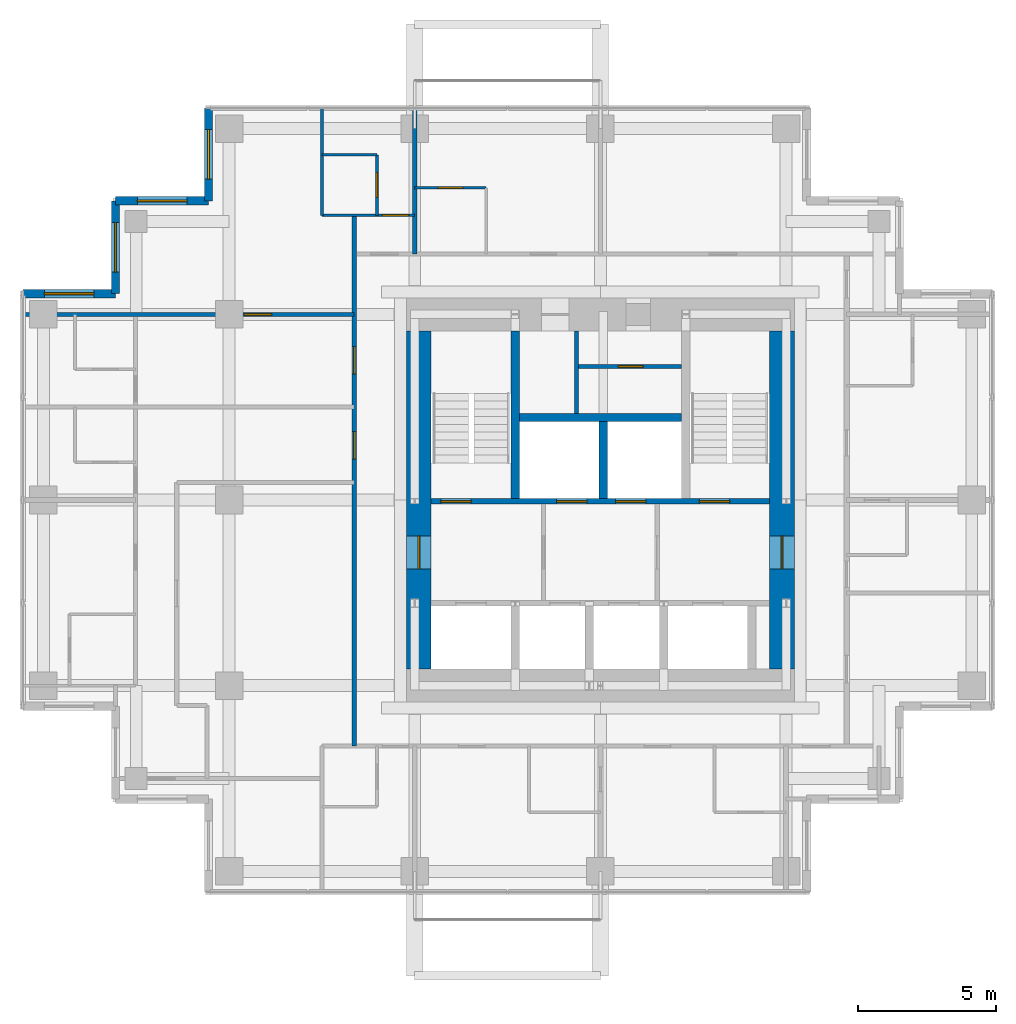
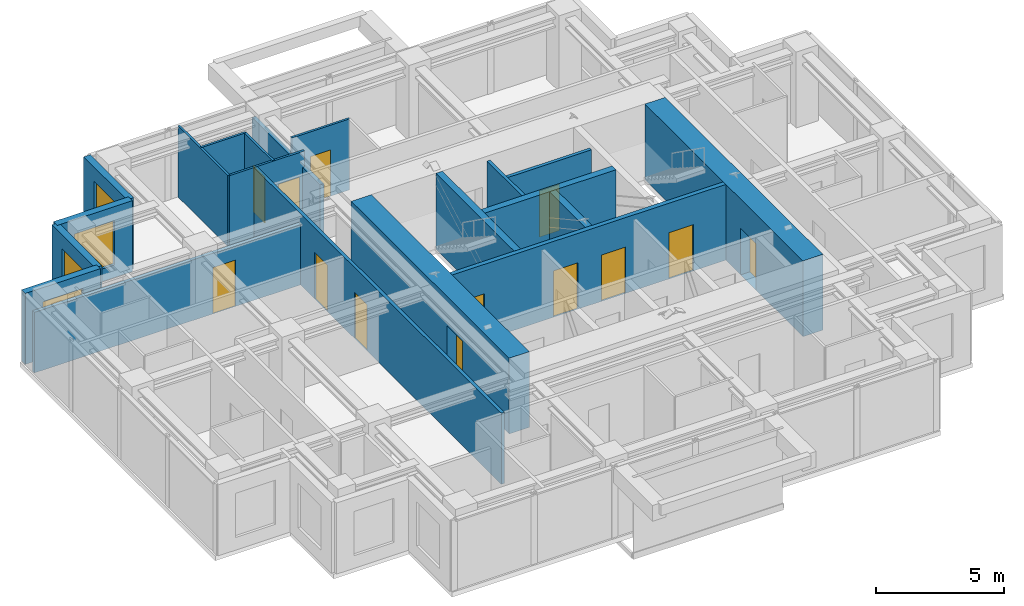
# One storey, part 5 of 8: 20 walls, 13 doors, 4 windows, 17 openings.
"""IFC4 building model written with IfcOpenShell, lengths in metres."""

from ifc_helpers import new_model, si_unit, direction, frame, frame_2d, origin, place, context, subcontext, project, spatial, rectangle, extrude, material, layer, layer_set, type_object, element, fill, save


model = new_model("IFC4")

# Units and contexts
model_context = context("Model", 3, precision=1e-05, world=origin(), true_north=direction((0.0, 1.0)))
body_context = subcontext(model_context, "Body", "Model", "MODEL_VIEW")
ifc_project = project(units=[si_unit("LENGTHUNIT", "METRE"), si_unit("AREAUNIT", "SQUARE_METRE"), si_unit("VOLUMEUNIT", "CUBIC_METRE"), si_unit("PLANEANGLEUNIT", "RADIAN"), si_unit("MASSUNIT", "GRAM", prefix="KILO")], contexts=[model_context])

# Site, building, storey
site_placement = place(None, origin())
site = spatial("IfcSite", under=ifc_project, at=site_placement, CompositionType="ELEMENT")
building_placement = place(site_placement, origin())
building = spatial("IfcBuilding", under=site, at=building_placement, Name="Nyansa Garden Tower", CompositionType="ELEMENT")
storey_placement = place(building_placement, frame((0.0, 0.0, 229.5)))
storey = spatial("IfcBuildingStorey", under=building, at=storey_placement, Name="L62", CompositionType="ELEMENT", Elevation=229.5)

# Wall
ifc_material_1 = material(Name="Dense blockwork, plastered both sides, 55 dB", Category="masonry")
ifc_layer_1 = layer(ifc_material_1, 0.175048828125)
ifc_layer_set_1 = layer_set([ifc_layer_1], Name="Acoustic party wall PW175")
wall_type_1 = type_object("IfcWallType", Name="Acoustic party wall PW175", PredefinedType="PARTITIONING", material=ifc_layer_set_1)
wall_1_placement = place(storey_placement, frame((13.5, 29.199951171875, 0.0), z_axis=(0.0, 0.0, 1.0), x_axis=(0.0, 1.0, 0.0)))
element("IfcWall", 1, at=wall_1_placement, inside=storey, type_object=wall_type_1, Name="Party wall", PredefinedType="PARTITIONING", context=body_context, shape_type="SweptSolid", body=[
    extrude(rectangle(XDim=5.283935546875, YDim=0.175048828125, at=frame_2d((2.64208984375, 0.0))), origin(), (0.0, 0.0, 1.0), 2.610107421875),
])

# Wall, openings, doors
ifc_material_2 = material(Name="Concrete C70/85", Category="concrete")
ifc_layer_2 = layer(ifc_material_2, 0.199951171875)
ifc_layer_set_2 = layer_set([ifc_layer_2], Name="Core inner wall CI200")
wall_type_2 = type_object("IfcWallType", Name="Core inner wall CI200", PredefinedType="SHEAR", material=ifc_layer_set_2)
wall_2_placement = place(storey_placement, frame((14.10009765625, 20.199951171875, 0.0), z_axis=(0.0, 0.0, 1.0), x_axis=(1.0, 0.0, 0.0)))
wall_2 = element("IfcWall", 2, at=wall_2_placement, inside=storey, type_object=wall_type_2, Name="Core inner wall L62", PredefinedType="SHEAR", context=body_context, shape_type="SweptSolid", body=[
    extrude(rectangle(XDim=12.2998046875, YDim=0.199951171875, at=frame_2d((6.14990234375, 0.0))), origin(), (0.0, 0.0, 1.0), 3.60009765625),
])
opening_1_placement = place(wall_2_placement, frame((4.56005859375, 0.0, 0.0)))
opening_1 = element("IfcOpeningElement", 3, at=opening_1_placement, cuts=wall_2, Name="Opening LD-B", PredefinedType="OPENING", context=body_context, shape_type="SweptSolid", body=[
    extrude(rectangle(XDim=1.10009765625, YDim=2.199951171875, at=frame_2d((0.550048828125, 1.10009765625))), frame((0.0, 0.10986328125, 0.0), z_axis=(0.0, -1.0, 0.0), x_axis=(1.0, 0.0, 0.0)), (0.0, 0.0, 1.0), 0.219970703125),
])
opening_2_placement = place(wall_2_placement, frame((6.699951171875, 0.0, 0.0)))
opening_2 = element("IfcOpeningElement", 4, at=opening_2_placement, cuts=wall_2, Name="Opening LD-B", PredefinedType="OPENING", context=body_context, shape_type="SweptSolid", body=[
    extrude(rectangle(XDim=1.10009765625, YDim=2.199951171875, at=frame_2d((0.550048828125, 1.10009765625))), frame((0.0, 0.10986328125, 0.0), z_axis=(0.0, -1.0, 0.0), x_axis=(1.0, 0.0, 0.0)), (0.0, 0.0, 1.0), 0.219970703125),
])
opening_3_placement = place(wall_2_placement, frame((0.35009765625, 0.0, 0.0)))
opening_3 = element("IfcOpeningElement", 5, at=opening_3_placement, cuts=wall_2, Name="Opening D05", PredefinedType="OPENING", context=body_context, shape_type="SweptSolid", body=[
    extrude(rectangle(XDim=1.10009765625, YDim=2.199951171875, at=frame_2d((0.550048828125, 1.10009765625))), frame((0.0, 0.10986328125, 0.0), z_axis=(0.0, -1.0, 0.0), x_axis=(1.0, 0.0, 0.0)), (0.0, 0.0, 1.0), 0.219970703125),
])
opening_4_placement = place(wall_2_placement, frame((9.75, 0.0, 0.0)))
opening_4 = element("IfcOpeningElement", 6, at=opening_4_placement, cuts=wall_2, Name="Opening D05", PredefinedType="OPENING", context=body_context, shape_type="SweptSolid", body=[
    extrude(rectangle(XDim=1.10009765625, YDim=2.199951171875, at=frame_2d((0.550048828125, 1.10009765625))), frame((0.0, 0.10986328125, 0.0), z_axis=(0.0, -1.0, 0.0), x_axis=(1.0, 0.0, 0.0)), (0.0, 0.0, 1.0), 0.219970703125),
])
ifc_material_3 = material(Name="Stainless steel centre-opening landing door of the high-rise lift, E 120", Category="steel")
door_type_1 = type_object("IfcDoorType", Name="Lift landing door LD-B 1100x2200", OperationType="DOUBLE_DOOR_SLIDING", PredefinedType="DOOR", material=ifc_material_3)
door_1_placement = place(opening_1_placement, origin())
door_1 = element("IfcDoor", 7, at=door_1_placement, inside=storey, type_object=door_type_1, Name="Landing door B3", OperationType="DOUBLE_DOOR_SLIDING", OverallHeight=2.199951171875, OverallWidth=1.10009765625, PredefinedType="DOOR", context=body_context, shape_type="SweptSolid", body=[
    extrude(rectangle(XDim=1.10009765625, YDim=2.199951171875, at=frame_2d((0.550048828125, 1.10009765625))), frame((0.0, 0.02490234375, 0.0), z_axis=(0.0, -1.0, 0.0), x_axis=(1.0, 0.0, 0.0)), (0.0, 0.0, 1.0), 0.050048828125),
])
fill(opening_1, door_1)
door_2_placement = place(opening_2_placement, origin())
door_2 = element("IfcDoor", 8, at=door_2_placement, inside=storey, type_object=door_type_1, Name="Landing door B4", OperationType="DOUBLE_DOOR_SLIDING", OverallHeight=2.199951171875, OverallWidth=1.10009765625, PredefinedType="DOOR", context=body_context, shape_type="SweptSolid", body=[
    extrude(rectangle(XDim=1.10009765625, YDim=2.199951171875, at=frame_2d((0.550048828125, 1.10009765625))), frame((0.0, 0.02490234375, 0.0), z_axis=(0.0, -1.0, 0.0), x_axis=(1.0, 0.0, 0.0)), (0.0, 0.0, 1.0), 0.050048828125),
])
fill(opening_2, door_2)
ifc_material_4 = material(Name="Steel door, 120 minute fire resisting", Category="steel")
door_type_2 = type_object("IfcDoorType", Name="Stair door D05 1100x2200", OperationType="SINGLE_SWING_LEFT", PredefinedType="DOOR", material=ifc_material_4)
door_3_placement = place(opening_3_placement, origin())
door_3 = element("IfcDoor", 9, at=door_3_placement, inside=storey, type_object=door_type_2, Name="Stair S1 door", OperationType="SINGLE_SWING_LEFT", OverallHeight=2.199951171875, OverallWidth=1.10009765625, PredefinedType="DOOR", context=body_context, shape_type="SweptSolid", body=[
    extrude(rectangle(XDim=1.10009765625, YDim=2.199951171875, at=frame_2d((0.550048828125, 1.10009765625))), frame((0.0, 0.02490234375, 0.0), z_axis=(0.0, -1.0, 0.0), x_axis=(1.0, 0.0, 0.0)), (0.0, 0.0, 1.0), 0.050048828125),
])
fill(opening_3, door_3)
door_4_placement = place(opening_4_placement, origin())
door_4 = element("IfcDoor", 10, at=door_4_placement, inside=storey, type_object=door_type_2, Name="Stair S2 door", OperationType="SINGLE_SWING_LEFT", OverallHeight=2.199951171875, OverallWidth=1.10009765625, PredefinedType="DOOR", context=body_context, shape_type="SweptSolid", body=[
    extrude(rectangle(XDim=1.10009765625, YDim=2.199951171875, at=frame_2d((0.550048828125, 1.10009765625))), frame((0.0, 0.02490234375, 0.0), z_axis=(0.0, -1.0, 0.0), x_axis=(1.0, 0.0, 0.0)), (0.0, 0.0, 1.0), 0.050048828125),
])
fill(opening_4, door_4)

# Walls
ifc_material_5 = material(Name="Concrete C70/85", Category="concrete")
ifc_layer_3 = layer(ifc_material_5, 0.300048828125)
ifc_layer_set_3 = layer_set([ifc_layer_3], Name="Core inner wall CI300")
wall_type_3 = type_object("IfcWallType", Name="Core inner wall CI300", PredefinedType="SHEAR", material=ifc_layer_set_3)
wall_3_placement = place(storey_placement, frame((17.14990234375, 20.300048828125, 0.0), z_axis=(0.0, 0.0, 1.0), x_axis=(0.0, 1.0, 0.0)))
element("IfcWall", 11, at=wall_3_placement, inside=storey, type_object=wall_type_3, Name="Core inner wall L62", PredefinedType="SHEAR", context=body_context, shape_type="SweptSolid", body=[
    extrude(rectangle(XDim=6.099853515625, YDim=0.300048828125, at=frame_2d((3.0498046875, 0.0))), origin(), (0.0, 0.0, 1.0), 3.60009765625),
])
wall_4_placement = place(storey_placement, frame((20.35009765625, 20.300048828125, 0.0), z_axis=(0.0, 0.0, 1.0), x_axis=(0.0, 1.0, 0.0)))
element("IfcWall", 12, at=wall_4_placement, inside=storey, type_object=wall_type_3, Name="Core inner wall L62", PredefinedType="SHEAR", context=body_context, shape_type="SweptSolid", body=[
    extrude(rectangle(XDim=2.800048828125, YDim=0.300048828125, at=frame_2d((1.39990234375, 0.0))), origin(), (0.0, 0.0, 1.0), 3.60009765625),
])
wall_5_placement = place(storey_placement, frame((17.300048828125, 23.25, 0.0), z_axis=(0.0, 0.0, 1.0), x_axis=(1.0, 0.0, 0.0)))
element("IfcWall", 13, at=wall_5_placement, inside=storey, type_object=wall_type_3, Name="Core inner wall L62", PredefinedType="SHEAR", context=body_context, shape_type="SweptSolid", body=[
    extrude(rectangle(XDim=5.89990234375, YDim=0.300048828125, at=frame_2d((2.949951171875, 0.0))), origin(), (0.0, 0.0, 1.0), 3.60009765625),
])

# Wall, opening, door
ifc_material_6 = material(Name="Concrete C80/95", Category="concrete")
ifc_layer_4 = layer(ifc_material_6, 0.89990234375)
ifc_layer_set_4 = layer_set([ifc_layer_4], Name="Core wall CW900")
wall_type_4 = type_object("IfcWallType", Name="Core wall CW900", PredefinedType="SHEAR", material=ifc_layer_set_4)
wall_6_placement = place(storey_placement, frame((26.85009765625, 14.10009765625, 0.0), z_axis=(0.0, 0.0, 1.0), x_axis=(0.0, 1.0, 0.0)))
wall_6 = element("IfcWall", 14, at=wall_6_placement, inside=storey, type_object=wall_type_4, Name="Core wall E L62", PredefinedType="SHEAR", context=body_context, shape_type="SweptSolid", body=[
    extrude(rectangle(XDim=12.2998046875, YDim=0.89990234375, at=frame_2d((6.14990234375, 0.0))), origin(), (0.0, 0.0, 1.0), 3.60009765625),
])
opening_5_placement = place(wall_6_placement, frame((3.64990234375, 0.0, 0.0)))
opening_5 = element("IfcOpeningElement", 15, at=opening_5_placement, cuts=wall_6, Name="Opening D06", PredefinedType="OPENING", context=body_context, shape_type="SweptSolid", body=[
    extrude(rectangle(XDim=1.199951171875, YDim=2.199951171875, at=frame_2d((0.60009765625, 1.10009765625))), frame((0.0, 0.4599609375, 0.0), z_axis=(0.0, -1.0, 0.0), x_axis=(1.0, 0.0, 0.0)), (0.0, 0.0, 1.0), 0.919921875),
])
ifc_material_7 = material(Name="Steel door, 120 minute fire resisting", Category="steel")
door_type_3 = type_object("IfcDoorType", Name="Lobby door D06 1200x2200", OperationType="DOUBLE_DOOR_SINGLE_SWING", PredefinedType="DOOR", material=ifc_material_7)
door_5_placement = place(opening_5_placement, origin())
door_5 = element("IfcDoor", 16, at=door_5_placement, inside=storey, type_object=door_type_3, Name="Lift lobby door east", OperationType="DOUBLE_DOOR_SINGLE_SWING", OverallHeight=2.199951171875, OverallWidth=1.199951171875, PredefinedType="DOOR", context=body_context, shape_type="SweptSolid", body=[
    extrude(rectangle(XDim=1.199951171875, YDim=2.199951171875, at=frame_2d((0.60009765625, 1.10009765625))), frame((0.0, 0.02490234375, 0.0), z_axis=(0.0, -1.0, 0.0), x_axis=(1.0, 0.0, 0.0)), (0.0, 0.0, 1.0), 0.050048828125),
])
fill(opening_5, door_5)

wall_7_placement = place(storey_placement, frame((13.64990234375, 26.39990234375, 0.0), z_axis=(0.0, 0.0, 1.0), x_axis=(0.0, -1.0, 0.0)))
wall_7 = element("IfcWall", 17, at=wall_7_placement, inside=storey, type_object=wall_type_4, Name="Core wall W L62", PredefinedType="SHEAR", context=body_context, shape_type="SweptSolid", body=[
    extrude(rectangle(XDim=12.2998046875, YDim=0.89990234375, at=frame_2d((6.14990234375, 0.0))), origin(), (0.0, 0.0, 1.0), 3.60009765625),
])
opening_6_placement = place(wall_7_placement, frame((7.449951171875, 0.0, 0.0)))
opening_6 = element("IfcOpeningElement", 18, at=opening_6_placement, cuts=wall_7, Name="Opening D06", PredefinedType="OPENING", context=body_context, shape_type="SweptSolid", body=[
    extrude(rectangle(XDim=1.199951171875, YDim=2.199951171875, at=frame_2d((0.60009765625, 1.10009765625))), frame((0.0, 0.4599609375, 0.0), z_axis=(0.0, -1.0, 0.0), x_axis=(1.0, 0.0, 0.0)), (0.0, 0.0, 1.0), 0.919921875),
])
door_6_placement = place(opening_6_placement, origin())
door_6 = element("IfcDoor", 19, at=door_6_placement, inside=storey, type_object=door_type_3, Name="Lift lobby door west", OperationType="DOUBLE_DOOR_SINGLE_SWING", OverallHeight=2.199951171875, OverallWidth=1.199951171875, PredefinedType="DOOR", context=body_context, shape_type="SweptSolid", body=[
    extrude(rectangle(XDim=1.199951171875, YDim=2.199951171875, at=frame_2d((0.60009765625, 1.10009765625))), frame((0.0, 0.02490234375, 0.0), z_axis=(0.0, -1.0, 0.0), x_axis=(1.0, 0.0, 0.0)), (0.0, 0.0, 1.0), 0.050048828125),
])
fill(opening_6, door_6)

# Wall
ifc_material_8 = material(Name="Blockwork, plastered both sides", Category="masonry")
ifc_layer_5 = layer(ifc_material_8, 0.14990234375)
ifc_layer_set_5 = layer_set([ifc_layer_5], Name="Partition PW150")
wall_type_5 = type_object("IfcWallType", Name="Partition PW150", PredefinedType="PARTITIONING", material=ifc_layer_set_5)
wall_8_placement = place(storey_placement, frame((19.375, 23.39990234375, 0.0), z_axis=(0.0, 0.0, 1.0), x_axis=(0.0, 1.0, 0.0)))
element("IfcWall", 20, at=wall_8_placement, inside=storey, type_object=wall_type_5, Name="Partition", PredefinedType="PARTITIONING", context=body_context, shape_type="SweptSolid", body=[
    extrude(rectangle(XDim=3.0, YDim=0.14990234375, at=frame_2d((1.5, 0.0))), origin(), (0.0, 0.0, 1.0), 3.375),
])

# Wall, opening, door
wall_9_placement = place(storey_placement, frame((19.449951171875, 25.10009765625, 0.0), z_axis=(0.0, 0.0, 1.0), x_axis=(1.0, 0.0, 0.0)))
wall_9 = element("IfcWall", 21, at=wall_9_placement, inside=storey, type_object=wall_type_5, Name="Partition", PredefinedType="PARTITIONING", context=body_context, shape_type="SweptSolid", body=[
    extrude(rectangle(XDim=3.75, YDim=0.14990234375, at=frame_2d((1.875, 0.0))), origin(), (0.0, 0.0, 1.0), 3.375),
])
opening_7_placement = place(wall_9_placement, frame((1.449951171875, 0.0, 0.0)))
opening_7 = element("IfcOpeningElement", 22, at=opening_7_placement, cuts=wall_9, Name="Opening D02", PredefinedType="OPENING", context=body_context, shape_type="SweptSolid", body=[
    extrude(rectangle(XDim=0.89990234375, YDim=2.199951171875, at=frame_2d((0.449951171875, 1.10009765625))), frame((0.0, 0.0849609375, 0.0), z_axis=(0.0, -1.0, 0.0), x_axis=(1.0, 0.0, 0.0)), (0.0, 0.0, 1.0), 0.169921875),
])
ifc_material_9 = material(Name="Timber flush door", Category="wood")
door_type_4 = type_object("IfcDoorType", Name="En-suite door D02 900x2200", OperationType="SINGLE_SWING_RIGHT", PredefinedType="DOOR", material=ifc_material_9)
door_7_placement = place(opening_7_placement, origin())
door_7 = element("IfcDoor", 23, at=door_7_placement, inside=storey, type_object=door_type_4, Name="Staff WC door", OperationType="SINGLE_SWING_RIGHT", OverallHeight=2.199951171875, OverallWidth=0.89990234375, PredefinedType="DOOR", context=body_context, shape_type="SweptSolid", body=[
    extrude(rectangle(XDim=0.89990234375, YDim=2.199951171875, at=frame_2d((0.449951171875, 1.10009765625))), frame((0.0, 0.02490234375, 0.0), z_axis=(0.0, -1.0, 0.0), x_axis=(1.0, 0.0, 0.0)), (0.0, 0.0, 1.0), 0.050048828125),
])
fill(opening_7, door_7)

wall_10_placement = place(storey_placement, frame((-0.73388671875, 27.0, 0.0), z_axis=(0.0, 0.0, 1.0), x_axis=(1.0, 0.0, 0.0)))
wall_10 = element("IfcWall", 24, at=wall_10_placement, inside=storey, type_object=wall_type_5, Name="Partition", PredefinedType="PARTITIONING", context=body_context, shape_type="SweptSolid", body=[
    extrude(rectangle(XDim=12.033935546875, YDim=0.14990234375, at=frame_2d((6.01708984375, 0.0))), origin(), (0.0, 0.0, 1.0), 2.876953125),
])
opening_8_placement = place(wall_10_placement, frame((8.033935546875, 0.0, 0.0)))
opening_8 = element("IfcOpeningElement", 25, at=opening_8_placement, cuts=wall_10, Name="Opening D03", PredefinedType="OPENING", context=body_context, shape_type="SweptSolid", body=[
    extrude(rectangle(XDim=1.0, YDim=2.199951171875, at=frame_2d((0.5, 1.10009765625))), frame((0.0, 0.0849609375, 0.0), z_axis=(0.0, -1.0, 0.0), x_axis=(1.0, 0.0, 0.0)), (0.0, 0.0, 1.0), 0.169921875),
])
ifc_material_10 = material(Name="Timber flush door, 60 minute fire resisting", Category="wood")
door_type_5 = type_object("IfcDoorType", Name="Cluster entrance door D03 1000x2200", OperationType="SINGLE_SWING_LEFT", PredefinedType="DOOR", material=ifc_material_10)
door_8_placement = place(opening_8_placement, origin())
door_8 = element("IfcDoor", 26, at=door_8_placement, inside=storey, type_object=door_type_5, Name="Door L62-038", OperationType="SINGLE_SWING_LEFT", OverallHeight=2.199951171875, OverallWidth=1.0, PredefinedType="DOOR", context=body_context, shape_type="SweptSolid", body=[
    extrude(rectangle(XDim=1.0, YDim=2.199951171875, at=frame_2d((0.5, 1.10009765625))), frame((0.0, 0.02490234375, 0.0), z_axis=(0.0, -1.0, 0.0), x_axis=(1.0, 0.0, 0.0)), (0.0, 0.0, 1.0), 0.050048828125),
])
fill(opening_8, door_8)

# Wall, openings, doors
wall_11_placement = place(storey_placement, frame((11.300048828125, 11.300048828125, 0.0), z_axis=(0.0, 0.0, 1.0), x_axis=(0.0, 1.0, 0.0)))
wall_11 = element("IfcWall", 27, at=wall_11_placement, inside=storey, type_object=wall_type_5, Name="Partition", PredefinedType="PARTITIONING", context=body_context, shape_type="SweptSolid", body=[
    extrude(rectangle(XDim=19.300048828125, YDim=0.14990234375, at=frame_2d((9.64990234375, 0.0))), origin(), (0.0, 0.0, 1.0), 3.375),
])
opening_9_placement = place(wall_11_placement, frame((13.52490234375, 0.0, 0.0)))
opening_9 = element("IfcOpeningElement", 28, at=opening_9_placement, cuts=wall_11, Name="Opening D03", PredefinedType="OPENING", context=body_context, shape_type="SweptSolid", body=[
    extrude(rectangle(XDim=1.0, YDim=2.199951171875, at=frame_2d((0.5, 1.10009765625))), frame((0.0, 0.0849609375, 0.0), z_axis=(0.0, -1.0, 0.0), x_axis=(1.0, 0.0, 0.0)), (0.0, 0.0, 1.0), 0.169921875),
])
opening_10_placement = place(wall_11_placement, frame((10.4375, 0.0, 0.0)))
opening_10 = element("IfcOpeningElement", 29, at=opening_10_placement, cuts=wall_11, Name="Opening D03", PredefinedType="OPENING", context=body_context, shape_type="SweptSolid", body=[
    extrude(rectangle(XDim=1.0, YDim=2.199951171875, at=frame_2d((0.5, 1.10009765625))), frame((0.0, 0.0849609375, 0.0), z_axis=(0.0, -1.0, 0.0), x_axis=(1.0, 0.0, 0.0)), (0.0, 0.0, 1.0), 0.169921875),
])
door_9_placement = place(opening_9_placement, origin())
door_9 = element("IfcDoor", 30, at=door_9_placement, inside=storey, type_object=door_type_5, Name="Door L62-041", OperationType="SINGLE_SWING_LEFT", OverallHeight=2.199951171875, OverallWidth=1.0, PredefinedType="DOOR", context=body_context, shape_type="SweptSolid", body=[
    extrude(rectangle(XDim=1.0, YDim=2.199951171875, at=frame_2d((0.5, 1.10009765625))), frame((0.0, 0.02490234375, 0.0), z_axis=(0.0, -1.0, 0.0), x_axis=(1.0, 0.0, 0.0)), (0.0, 0.0, 1.0), 0.050048828125),
])
fill(opening_9, door_9)
door_10_placement = place(opening_10_placement, origin())
door_10 = element("IfcDoor", 31, at=door_10_placement, inside=storey, type_object=door_type_5, Name="Door L62-046", OperationType="SINGLE_SWING_LEFT", OverallHeight=2.199951171875, OverallWidth=1.0, PredefinedType="DOOR", context=body_context, shape_type="SweptSolid", body=[
    extrude(rectangle(XDim=1.0, YDim=2.199951171875, at=frame_2d((0.5, 1.10009765625))), frame((0.0, 0.02490234375, 0.0), z_axis=(0.0, -1.0, 0.0), x_axis=(1.0, 0.0, 0.0)), (0.0, 0.0, 1.0), 0.050048828125),
])
fill(opening_10, door_10)

# Wall, opening, window
ifc_material_11 = material(Name="Turquoise glazed tile on concrete blockwork", Category="masonry")
ifc_layer_6 = layer(ifc_material_11, 0.300048828125)
ifc_layer_set_6 = layer_set([ifc_layer_6], Name="Tiled corner wall TW300")
wall_type_6 = type_object("IfcWallType", Name="Tiled corner wall TW300", PredefinedType="SOLIDWALL", material=ifc_layer_set_6)
wall_12_placement = place(storey_placement, frame((6.0, 34.5, 0.0), z_axis=(0.0, 0.0, 1.0), x_axis=(0.0, -1.0, 0.0)))
wall_12 = element("IfcWall", 32, at=wall_12_placement, inside=storey, type_object=wall_type_6, Name="Tiled corner wall L62", PredefinedType="SOLIDWALL", context=body_context, shape_type="SweptSolid", body=[
    extrude(rectangle(XDim=3.375, YDim=0.300048828125, at=frame_2d((1.6875, 0.0))), origin(), (0.0, 0.0, 1.0), 3.375),
])
opening_11_placement = place(wall_12_placement, frame((0.78759765625, 0.0, 0.60009765625)))
opening_11 = element("IfcOpeningElement", 33, at=opening_11_placement, cuts=wall_12, Name="Opening W2", PredefinedType="OPENING", context=body_context, shape_type="SweptSolid", body=[
    extrude(rectangle(XDim=1.800048828125, YDim=2.10009765625, at=frame_2d((0.89990234375, 1.050048828125))), frame((0.0, 0.159912109375, 0.0), z_axis=(0.0, -1.0, 0.0), x_axis=(1.0, 0.0, 0.0)), (0.0, 0.0, 1.0), 0.320068359375),
])
ifc_material_12 = material(Name="Black aluminium frame, dark tinted double glazing", Category="aluminium")
window_type = type_object("IfcWindowType", Name="Window W2 1800x2100", PartitioningType="SINGLE_PANEL", PredefinedType="WINDOW", material=ifc_material_12)
window_1_placement = place(opening_11_placement, origin())
window_1 = element("IfcWindow", 34, at=window_1_placement, inside=storey, type_object=window_type, Name="Corner window L62", OverallHeight=2.10009765625, OverallWidth=1.800048828125, PartitioningType="SINGLE_PANEL", PredefinedType="WINDOW", context=body_context, shape_type="SweptSolid", body=[
    extrude(rectangle(XDim=1.800048828125, YDim=2.10009765625, at=frame_2d((0.89990234375, 1.050048828125))), frame((0.0, 0.030029296875, 0.0), z_axis=(0.0, -1.0, 0.0), x_axis=(1.0, 0.0, 0.0)), (0.0, 0.0, 1.0), 0.06005859375),
])
fill(opening_11, window_1)

wall_13_placement = place(storey_placement, frame((6.0, 31.125, 0.0), z_axis=(0.0, 0.0, 1.0), x_axis=(-1.0, 0.0, 0.0)))
wall_13 = element("IfcWall", 35, at=wall_13_placement, inside=storey, type_object=wall_type_6, Name="Tiled corner wall L62", PredefinedType="SOLIDWALL", context=body_context, shape_type="SweptSolid", body=[
    extrude(rectangle(XDim=3.375, YDim=0.300048828125, at=frame_2d((1.6875, 0.0))), origin(), (0.0, 0.0, 1.0), 3.375),
])
opening_12_placement = place(wall_13_placement, frame((0.78759765625, 0.0, 0.60009765625)))
opening_12 = element("IfcOpeningElement", 36, at=opening_12_placement, cuts=wall_13, Name="Opening W2", PredefinedType="OPENING", context=body_context, shape_type="SweptSolid", body=[
    extrude(rectangle(XDim=1.800048828125, YDim=2.10009765625, at=frame_2d((0.89990234375, 1.050048828125))), frame((0.0, 0.159912109375, 0.0), z_axis=(0.0, -1.0, 0.0), x_axis=(1.0, 0.0, 0.0)), (0.0, 0.0, 1.0), 0.320068359375),
])
window_2_placement = place(opening_12_placement, origin())
window_2 = element("IfcWindow", 37, at=window_2_placement, inside=storey, type_object=window_type, Name="Corner window L62", OverallHeight=2.10009765625, OverallWidth=1.800048828125, PartitioningType="SINGLE_PANEL", PredefinedType="WINDOW", context=body_context, shape_type="SweptSolid", body=[
    extrude(rectangle(XDim=1.800048828125, YDim=2.10009765625, at=frame_2d((0.89990234375, 1.050048828125))), frame((0.0, 0.030029296875, 0.0), z_axis=(0.0, -1.0, 0.0), x_axis=(1.0, 0.0, 0.0)), (0.0, 0.0, 1.0), 0.06005859375),
])
fill(opening_12, window_2)

wall_14_placement = place(storey_placement, frame((2.625, 31.125, 0.0), z_axis=(0.0, 0.0, 1.0), x_axis=(0.0, -1.0, 0.0)))
wall_14 = element("IfcWall", 38, at=wall_14_placement, inside=storey, type_object=wall_type_6, Name="Tiled corner wall L62", PredefinedType="SOLIDWALL", context=body_context, shape_type="SweptSolid", body=[
    extrude(rectangle(XDim=3.375, YDim=0.300048828125, at=frame_2d((1.6875, 0.0))), origin(), (0.0, 0.0, 1.0), 3.375),
])
opening_13_placement = place(wall_14_placement, frame((0.78759765625, 0.0, 0.60009765625)))
opening_13 = element("IfcOpeningElement", 39, at=opening_13_placement, cuts=wall_14, Name="Opening W2", PredefinedType="OPENING", context=body_context, shape_type="SweptSolid", body=[
    extrude(rectangle(XDim=1.800048828125, YDim=2.10009765625, at=frame_2d((0.89990234375, 1.050048828125))), frame((0.0, 0.159912109375, 0.0), z_axis=(0.0, -1.0, 0.0), x_axis=(1.0, 0.0, 0.0)), (0.0, 0.0, 1.0), 0.320068359375),
])
window_3_placement = place(opening_13_placement, origin())
window_3 = element("IfcWindow", 40, at=window_3_placement, inside=storey, type_object=window_type, Name="Corner window L62", OverallHeight=2.10009765625, OverallWidth=1.800048828125, PartitioningType="SINGLE_PANEL", PredefinedType="WINDOW", context=body_context, shape_type="SweptSolid", body=[
    extrude(rectangle(XDim=1.800048828125, YDim=2.10009765625, at=frame_2d((0.89990234375, 1.050048828125))), frame((0.0, 0.030029296875, 0.0), z_axis=(0.0, -1.0, 0.0), x_axis=(1.0, 0.0, 0.0)), (0.0, 0.0, 1.0), 0.06005859375),
])
fill(opening_13, window_3)

wall_15_placement = place(storey_placement, frame((2.625, 27.75, 0.0), z_axis=(0.0, 0.0, 1.0), x_axis=(-1.0, 0.0, 0.0)))
wall_15 = element("IfcWall", 41, at=wall_15_placement, inside=storey, type_object=wall_type_6, Name="Tiled corner wall L62", PredefinedType="SOLIDWALL", context=body_context, shape_type="SweptSolid", body=[
    extrude(rectangle(XDim=3.375, YDim=0.300048828125, at=frame_2d((1.6875, 0.0))), origin(), (0.0, 0.0, 1.0), 3.375),
])
opening_14_placement = place(wall_15_placement, frame((0.78759765625, 0.0, 0.60009765625)))
opening_14 = element("IfcOpeningElement", 42, at=opening_14_placement, cuts=wall_15, Name="Opening W2", PredefinedType="OPENING", context=body_context, shape_type="SweptSolid", body=[
    extrude(rectangle(XDim=1.800048828125, YDim=2.10009765625, at=frame_2d((0.89990234375, 1.050048828125))), frame((0.0, 0.159912109375, 0.0), z_axis=(0.0, -1.0, 0.0), x_axis=(1.0, 0.0, 0.0)), (0.0, 0.0, 1.0), 0.320068359375),
])
window_4_placement = place(opening_14_placement, origin())
window_4 = element("IfcWindow", 43, at=window_4_placement, inside=storey, type_object=window_type, Name="Corner window L62", OverallHeight=2.10009765625, OverallWidth=1.800048828125, PartitioningType="SINGLE_PANEL", PredefinedType="WINDOW", context=body_context, shape_type="SweptSolid", body=[
    extrude(rectangle(XDim=1.800048828125, YDim=2.10009765625, at=frame_2d((0.89990234375, 1.050048828125))), frame((0.0, 0.030029296875, 0.0), z_axis=(0.0, -1.0, 0.0), x_axis=(1.0, 0.0, 0.0)), (0.0, 0.0, 1.0), 0.06005859375),
])
fill(opening_14, window_4)

# Wall
ifc_material_13 = material(Name="Moisture resistant board on steel studs, tiled", Category="steel")
ifc_layer_7 = layer(ifc_material_13, 0.10009765625)
ifc_layer_set_7 = layer_set([ifc_layer_7], Name="Wet wall PW100")
wall_type_7 = type_object("IfcWallType", Name="Wet wall PW100", PredefinedType="PARTITIONING", material=ifc_layer_set_7)
wall_16_placement = place(storey_placement, frame((10.125, 30.60009765625, 0.0), z_axis=(0.0, 0.0, 1.0), x_axis=(0.0, 1.0, 0.0)))
element("IfcWall", 44, at=wall_16_placement, inside=storey, type_object=wall_type_7, Name="Wet wall", PredefinedType="PARTITIONING", context=body_context, shape_type="SweptSolid", body=[
    extrude(rectangle(XDim=3.8837890625, YDim=0.10009765625, at=frame_2d((1.94189453125, 0.0))), origin(), (0.0, 0.0, 1.0), 3.375),
])

# Wall, opening, door
wall_17_placement = place(storey_placement, frame((10.125, 30.60009765625, 0.0), z_axis=(0.0, 0.0, 1.0), x_axis=(1.0, 0.0, 0.0)))
wall_17 = element("IfcWall", 45, at=wall_17_placement, inside=storey, type_object=wall_type_7, Name="Wet wall", PredefinedType="PARTITIONING", context=body_context, shape_type="SweptSolid", body=[
    extrude(rectangle(XDim=3.375, YDim=0.10009765625, at=frame_2d((1.6875, 0.0))), origin(), (0.0, 0.0, 1.0), 3.375),
])
opening_15_placement = place(wall_17_placement, frame((2.199951171875, 0.0, 0.0)))
opening_15 = element("IfcOpeningElement", 46, at=opening_15_placement, cuts=wall_17, Name="Opening D14", PredefinedType="OPENING", context=body_context, shape_type="SweptSolid", body=[
    extrude(rectangle(XDim=0.949951171875, YDim=2.199951171875, at=frame_2d((0.47509765625, 1.10009765625))), frame((0.0, 0.06005859375, 0.0), z_axis=(0.0, -1.0, 0.0), x_axis=(1.0, 0.0, 0.0)), (0.0, 0.0, 1.0), 0.1201171875),
])
ifc_material_14 = material(Name="Timber flush door, 60 minute fire resisting, self-closing", Category="wood")
door_type_6 = type_object("IfcDoorType", Name="Studio entrance door D14 950x2200", OperationType="SINGLE_SWING_LEFT", PredefinedType="DOOR", material=ifc_material_14)
door_11_placement = place(opening_15_placement, origin())
door_11 = element("IfcDoor", 47, at=door_11_placement, inside=storey, type_object=door_type_6, Name="Door L62-035", OperationType="SINGLE_SWING_LEFT", OverallHeight=2.199951171875, OverallWidth=0.949951171875, PredefinedType="DOOR", context=body_context, shape_type="SweptSolid", body=[
    extrude(rectangle(XDim=0.949951171875, YDim=2.199951171875, at=frame_2d((0.47509765625, 1.10009765625))), frame((0.0, 0.02490234375, 0.0), z_axis=(0.0, -1.0, 0.0), x_axis=(1.0, 0.0, 0.0)), (0.0, 0.0, 1.0), 0.050048828125),
])
fill(opening_15, door_11)

# Wall
wall_18_placement = place(storey_placement, frame((10.125, 32.800048828125, 0.0), z_axis=(0.0, 0.0, 1.0), x_axis=(1.0, 0.0, 0.0)))
element("IfcWall", 48, at=wall_18_placement, inside=storey, type_object=wall_type_7, Name="Wet wall", PredefinedType="PARTITIONING", context=body_context, shape_type="SweptSolid", body=[
    extrude(rectangle(XDim=2.0, YDim=0.10009765625, at=frame_2d((1.0, 0.0))), origin(), (0.0, 0.0, 1.0), 3.375),
])

# Wall, opening, door
wall_19_placement = place(storey_placement, frame((12.125, 30.60009765625, 0.0), z_axis=(0.0, 0.0, 1.0), x_axis=(0.0, 1.0, 0.0)))
wall_19 = element("IfcWall", 49, at=wall_19_placement, inside=storey, type_object=wall_type_7, Name="Wet wall", PredefinedType="PARTITIONING", context=body_context, shape_type="SweptSolid", body=[
    extrude(rectangle(XDim=2.199951171875, YDim=0.10009765625, at=frame_2d((1.10009765625, 0.0))), origin(), (0.0, 0.0, 1.0), 3.375),
])
opening_16_placement = place(wall_19_placement, frame((0.64990234375, 0.0, 0.0)))
opening_16 = element("IfcOpeningElement", 50, at=opening_16_placement, cuts=wall_19, Name="Opening D02", PredefinedType="OPENING", context=body_context, shape_type="SweptSolid", body=[
    extrude(rectangle(XDim=0.89990234375, YDim=2.199951171875, at=frame_2d((0.449951171875, 1.10009765625))), frame((0.0, 0.06005859375, 0.0), z_axis=(0.0, -1.0, 0.0), x_axis=(1.0, 0.0, 0.0)), (0.0, 0.0, 1.0), 0.1201171875),
])
door_12_placement = place(opening_16_placement, origin())
door_12 = element("IfcDoor", 51, at=door_12_placement, inside=storey, type_object=door_type_4, Name="Door L62-036", OperationType="SINGLE_SWING_RIGHT", OverallHeight=2.199951171875, OverallWidth=0.89990234375, PredefinedType="DOOR", context=body_context, shape_type="SweptSolid", body=[
    extrude(rectangle(XDim=0.89990234375, YDim=2.199951171875, at=frame_2d((0.449951171875, 1.10009765625))), frame((0.0, 0.02490234375, 0.0), z_axis=(0.0, -1.0, 0.0), x_axis=(1.0, 0.0, 0.0)), (0.0, 0.0, 1.0), 0.050048828125),
])
fill(opening_16, door_12)

wall_20_placement = place(storey_placement, frame((13.5, 31.60009765625, 0.0), z_axis=(0.0, 0.0, 1.0), x_axis=(1.0, 0.0, 0.0)))
wall_20 = element("IfcWall", 52, at=wall_20_placement, inside=storey, type_object=wall_type_7, Name="Wet wall", PredefinedType="PARTITIONING", context=body_context, shape_type="SweptSolid", body=[
    extrude(rectangle(XDim=2.60009765625, YDim=0.10009765625, at=frame_2d((1.300048828125, 0.0))), origin(), (0.0, 0.0, 1.0), 3.375),
])
opening_17_placement = place(wall_20_placement, frame((0.85009765625, 0.0, 0.0)))
opening_17 = element("IfcOpeningElement", 53, at=opening_17_placement, cuts=wall_20, Name="Opening D02", PredefinedType="OPENING", context=body_context, shape_type="SweptSolid", body=[
    extrude(rectangle(XDim=0.89990234375, YDim=2.199951171875, at=frame_2d((0.449951171875, 1.10009765625))), frame((0.0, 0.06005859375, 0.0), z_axis=(0.0, -1.0, 0.0), x_axis=(1.0, 0.0, 0.0)), (0.0, 0.0, 1.0), 0.1201171875),
])
door_13_placement = place(opening_17_placement, origin())
door_13 = element("IfcDoor", 54, at=door_13_placement, inside=storey, type_object=door_type_4, Name="Door L62-034", OperationType="SINGLE_SWING_RIGHT", OverallHeight=2.199951171875, OverallWidth=0.89990234375, PredefinedType="DOOR", context=body_context, shape_type="SweptSolid", body=[
    extrude(rectangle(XDim=0.89990234375, YDim=2.199951171875, at=frame_2d((0.449951171875, 1.10009765625))), frame((0.0, 0.02490234375, 0.0), z_axis=(0.0, -1.0, 0.0), x_axis=(1.0, 0.0, 0.0)), (0.0, 0.0, 1.0), 0.050048828125),
])
fill(opening_17, door_13)

save(model, "model.ifc")
